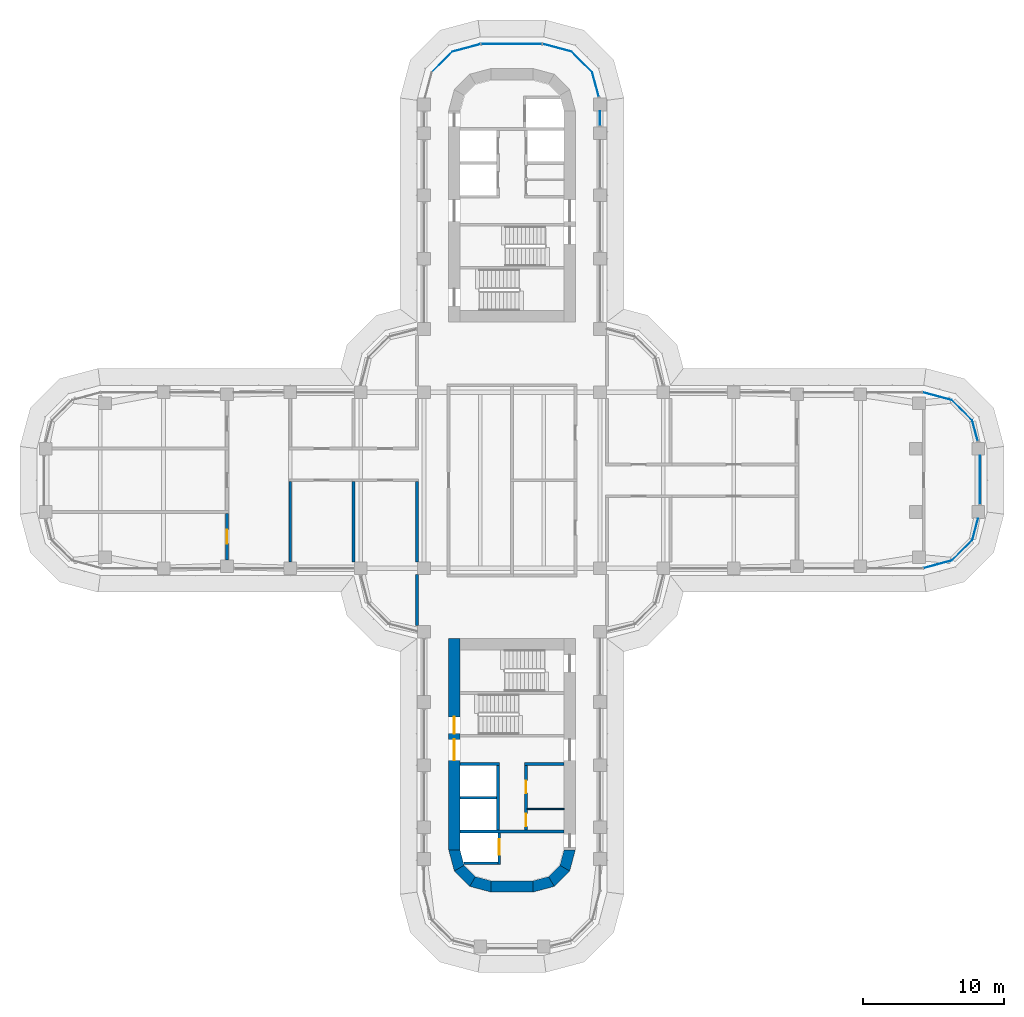
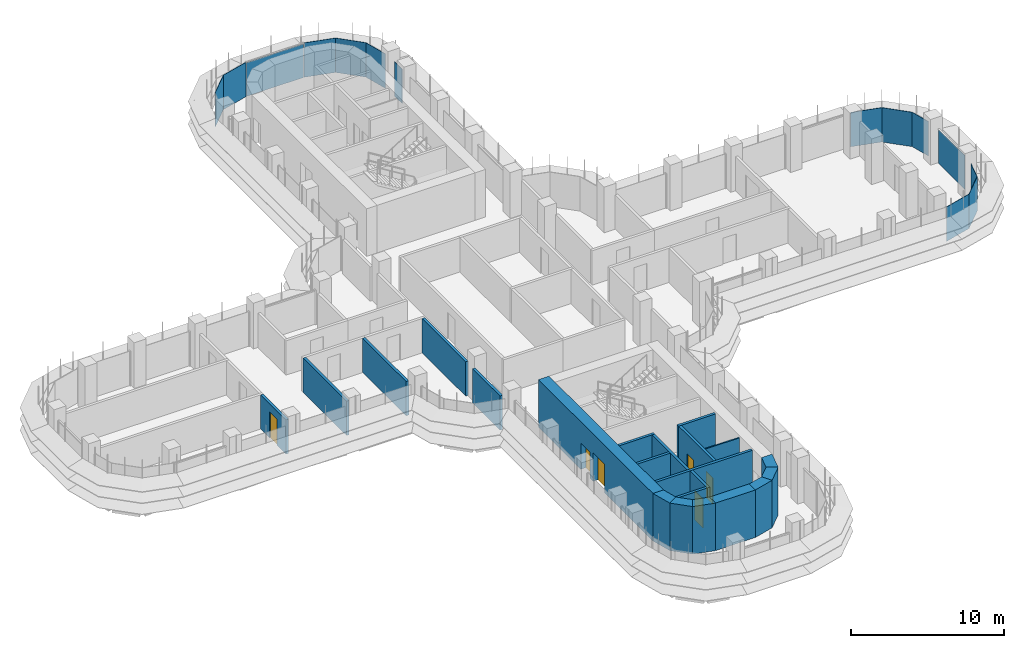
# One storey, part 15 of 22: 22 walls, 14 plates, 6 doors, 6 openings, 14 elements without a shape of their own.
"""IFC4 building model written with IfcOpenShell, lengths in metres."""

from ifc_helpers import new_model, si_unit, direction, frame, frame_2d, origin, place, context, subcontext, project, spatial, polyline, rectangle, outline, extrude, source, transform, mapped, material, layer, layer_set, type_object, element, fill, aggregate, save


model = new_model("IFC4")

# Units and contexts
model_context = context("Model", 3, precision=1e-05, world=origin(), true_north=direction((0.0, 1.0)))
body_context = subcontext(model_context, "Body", "Model", "MODEL_VIEW")
ifc_project = project(units=[si_unit("LENGTHUNIT", "METRE"), si_unit("AREAUNIT", "SQUARE_METRE"), si_unit("VOLUMEUNIT", "CUBIC_METRE"), si_unit("PLANEANGLEUNIT", "RADIAN"), si_unit("MASSUNIT", "GRAM", prefix="KILO")], contexts=[model_context])

# Site, building, storey
site_placement = place(None, origin())
site = spatial("IfcSite", under=ifc_project, at=site_placement, CompositionType="ELEMENT")
building_placement = place(site_placement, origin())
building = spatial("IfcBuilding", under=site, at=building_placement, Name="Zarbagh Exchange Tower", CompositionType="ELEMENT")
storey_placement = place(building_placement, frame((0.0, 0.0, 105.60009765625)))
storey = spatial("IfcBuildingStorey", under=building, at=storey_placement, Name="L24", CompositionType="ELEMENT", Elevation=105.60009765625)

# Curtain wall, plate
ifc_material_1 = material(Name="Anodised aluminium frame and glazing", Category="aluminium")
curtain_wall_type = type_object("IfcCurtainWallType", Name="CWA Ribbon glazing, lower zones", PredefinedType="NOTDEFINED", material=ifc_material_1)
curtain_wall_1_placement = place(storey_placement, origin())
curtain_wall_1 = element("IfcCurtainWall", 1, at=curtain_wall_1_placement, inside=storey, type_object=curtain_wall_type, Name="CWA13 curtain wall", PredefinedType="NOTDEFINED")
ifc_material_2 = material(Name="Low-e double glazed unit, 6+12+6 mm")
ifc_layer_1 = layer(ifc_material_2, 0.028076171875)
ifc_layer_set_1 = layer_set([ifc_layer_1], Name="PAA Glazing panel, Low-e double glazed unit, 6+12+6 mm")
plate_type = type_object("IfcPlateType", Name="PAA Glazing panel, Low-e double glazed unit, 6+12+6 mm", PredefinedType="CURTAIN_PANEL", material=ifc_layer_set_1)
shared_shape_1 = source(origin(), body_context, "Body", "SweptSolid", [
    extrude(outline(polyline([(0.0, -0.013916015625), (1.494140625, -0.013916015625), (1.494140625, 0.013916015625), (0.0, 0.013916015625), (0.0, -0.013916015625)])), origin(), (0.0, 0.0, 1.0), 2.75),
])
placement = place(storey_placement, origin())
plate_1 = element("IfcPlate", 2, at=placement, type_object=plate_type, Name="CWA13 glazing panel 1.1", PredefinedType="CURTAIN_PANEL", context=body_context, shape_type="MappedRepresentation", body=[
    mapped(shared_shape_1, transform((33.08544921875, 2.7978515625, 0.0), x_axis=(-0.258824779902, 0.965924289636, 0.0), y_axis=(-0.965924289636, -0.258824779902, 0.0), z_axis=(0.0, 0.0, 1.0))),
])
aggregate(curtain_wall_1, [plate_1])

curtain_wall_2_placement = place(storey_placement, origin())
curtain_wall_2 = element("IfcCurtainWall", 3, at=curtain_wall_2_placement, inside=storey, type_object=curtain_wall_type, Name="CWA10 curtain wall", PredefinedType="NOTDEFINED")
shared_shape_2 = source(origin(), body_context, "Body", "SweptSolid", [
    extrude(outline(polyline([(0.0, -0.013916015625), (2.061279296875, -0.013916015625), (2.061279296875, 0.013916015625), (0.0, 0.013916015625), (0.0, -0.013916015625)])), origin(), (0.0, 0.0, 1.0), 2.75),
])
plate_2 = element("IfcPlate", 4, at=placement, type_object=plate_type, Name="CWA10 glazing panel 1.1", PredefinedType="CURTAIN_PANEL", context=body_context, shape_type="MappedRepresentation", body=[
    mapped(shared_shape_2, transform((31.2412109375, -5.69873046875, 0.0), x_axis=(0.707106781187, 0.707106781187, 0.0), y_axis=(-0.707106781187, 0.707106781187, 0.0), z_axis=(0.0, 0.0, 1.0))),
])
aggregate(curtain_wall_2, [plate_2])

curtain_wall_3_placement = place(storey_placement, origin())
curtain_wall_3 = element("IfcCurtainWall", 5, at=curtain_wall_3_placement, inside=storey, type_object=curtain_wall_type, Name="CWA14 curtain wall", PredefinedType="NOTDEFINED")
plate_3 = element("IfcPlate", 6, at=placement, type_object=plate_type, Name="CWA14 glazing panel 1.1", PredefinedType="CURTAIN_PANEL", context=body_context, shape_type="MappedRepresentation", body=[
    mapped(shared_shape_2, transform((32.69873046875, 4.2412109375, 0.0), x_axis=(-0.707106781187, 0.707106781187, 0.0), y_axis=(-0.707106781187, -0.707106781187, 0.0), z_axis=(0.0, 0.0, 1.0))),
])
aggregate(curtain_wall_3, [plate_3])

curtain_wall_4_placement = place(storey_placement, origin())
curtain_wall_4 = element("IfcCurtainWall", 7, at=curtain_wall_4_placement, inside=storey, type_object=curtain_wall_type, Name="CWA51 curtain wall", PredefinedType="NOTDEFINED")
plate_4 = element("IfcPlate", 8, at=placement, type_object=plate_type, Name="CWA51 glazing panel 1.1", PredefinedType="CURTAIN_PANEL", context=body_context, shape_type="MappedRepresentation", body=[
    mapped(shared_shape_2, transform((5.69873046875, 28.9912109375, 0.0), x_axis=(-0.707106781187, 0.707106781187, 0.0), y_axis=(-0.707106781187, -0.707106781187, 0.0), z_axis=(0.0, 0.0, 1.0))),
])
aggregate(curtain_wall_4, [plate_4])

curtain_wall_5_placement = place(storey_placement, origin())
curtain_wall_5 = element("IfcCurtainWall", 9, at=curtain_wall_5_placement, inside=storey, type_object=curtain_wall_type, Name="CWA54 curtain wall", PredefinedType="NOTDEFINED")
plate_5 = element("IfcPlate", 10, at=placement, type_object=plate_type, Name="CWA54 glazing panel 1.1", PredefinedType="CURTAIN_PANEL", context=body_context, shape_type="MappedRepresentation", body=[
    mapped(shared_shape_2, transform((-4.2412109375, 30.44873046875, 0.0), x_axis=(-0.707106781187, -0.707106781187, 0.0), y_axis=(0.707106781187, -0.707106781187, 0.0), z_axis=(0.0, 0.0, 1.0))),
])
aggregate(curtain_wall_5, [plate_5])

curtain_wall_6_placement = place(storey_placement, origin())
curtain_wall_6 = element("IfcCurtainWall", 11, at=curtain_wall_6_placement, inside=storey, type_object=curtain_wall_type, Name="CWA15 curtain wall", PredefinedType="NOTDEFINED")
shared_shape_3 = source(origin(), body_context, "Body", "SweptSolid", [
    extrude(outline(polyline([(0.0, -0.013916015625), (2.129638671875, -0.013916015625), (2.129638671875, 0.013916015625), (0.0, 0.013916015625), (0.0, -0.013916015625)])), origin(), (0.0, 0.0, 1.0), 2.75),
])
plate_6 = element("IfcPlate", 12, at=placement, type_object=plate_type, Name="CWA15 glazing panel 1.1", PredefinedType="CURTAIN_PANEL", context=body_context, shape_type="MappedRepresentation", body=[
    mapped(shared_shape_3, transform((31.2412109375, 5.69873046875, 0.0), x_axis=(-0.965924289636, 0.258824779902, 0.0), y_axis=(-0.258824779902, -0.965924289636, 0.0), z_axis=(0.0, 0.0, 1.0))),
])
aggregate(curtain_wall_6, [plate_6])

curtain_wall_7_placement = place(storey_placement, origin())
curtain_wall_7 = element("IfcCurtainWall", 13, at=curtain_wall_7_placement, inside=storey, type_object=curtain_wall_type, Name="CWA52 curtain wall", PredefinedType="NOTDEFINED")
plate_7 = element("IfcPlate", 14, at=placement, type_object=plate_type, Name="CWA52 glazing panel 1.1", PredefinedType="CURTAIN_PANEL", context=body_context, shape_type="MappedRepresentation", body=[
    mapped(shared_shape_3, transform((4.2412109375, 30.44873046875, 0.0), x_axis=(-0.965924289636, 0.258824779902, 0.0), y_axis=(-0.258824779902, -0.965924289636, 0.0), z_axis=(0.0, 0.0, 1.0))),
])
aggregate(curtain_wall_7, [plate_7])

curtain_wall_8_placement = place(storey_placement, origin())
curtain_wall_8 = element("IfcCurtainWall", 15, at=curtain_wall_8_placement, inside=storey, type_object=curtain_wall_type, Name="CWA09 curtain wall", PredefinedType="NOTDEFINED")
shared_shape_4 = source(origin(), body_context, "Body", "SweptSolid", [
    extrude(outline(polyline([(0.0, -0.013916015625), (2.069580078125, -0.013916015625), (2.069580078125, 0.013916015625), (0.0, 0.013916015625), (0.0, -0.013916015625)])), origin(), (0.0, 0.0, 1.0), 2.75),
])
plate_8 = element("IfcPlate", 16, at=placement, type_object=plate_type, Name="CWA09 glazing panel 1.1", PredefinedType="CURTAIN_PANEL", context=body_context, shape_type="MappedRepresentation", body=[
    mapped(shared_shape_4, transform((29.2421875, -6.234375, 0.0), x_axis=(0.965924289636, 0.258824779902, 0.0), y_axis=(-0.258824779902, 0.965924289636, 0.0), z_axis=(0.0, 0.0, 1.0))),
])
aggregate(curtain_wall_8, [plate_8])

curtain_wall_9_placement = place(storey_placement, origin())
curtain_wall_9 = element("IfcCurtainWall", 17, at=curtain_wall_9_placement, inside=storey, type_object=curtain_wall_type, Name="CWA53 curtain wall", PredefinedType="NOTDEFINED")
plate_9 = element("IfcPlate", 18, at=placement, type_object=plate_type, Name="CWA53 glazing panel 1.1", PredefinedType="CURTAIN_PANEL", context=body_context, shape_type="MappedRepresentation", body=[
    mapped(shared_shape_4, transform((-2.2421875, 30.984375, 0.0), x_axis=(-0.965924289636, -0.258824779902, 0.0), y_axis=(0.258824779902, -0.965924289636, 0.0), z_axis=(0.0, 0.0, 1.0))),
])
aggregate(curtain_wall_9, [plate_9])

curtain_wall_10_placement = place(storey_placement, origin())
curtain_wall_10 = element("IfcCurtainWall", 19, at=curtain_wall_10_placement, inside=storey, type_object=curtain_wall_type, Name="CWA11 curtain wall", PredefinedType="NOTDEFINED")
shared_shape_5 = source(origin(), body_context, "Body", "SweptSolid", [
    extrude(outline(polyline([(0.0, -0.013916015625), (1.55419921875, -0.013916015625), (1.55419921875, 0.013916015625), (0.0, 0.013916015625), (0.0, -0.013916015625)])), origin(), (0.0, 0.0, 1.0), 2.75),
])
plate_10 = element("IfcPlate", 20, at=placement, type_object=plate_type, Name="CWA11 glazing panel 1.1", PredefinedType="CURTAIN_PANEL", context=body_context, shape_type="MappedRepresentation", body=[
    mapped(shared_shape_5, transform((32.69873046875, -4.2412109375, 0.0), x_axis=(0.258824779902, 0.965924289636, 0.0), y_axis=(-0.965924289636, 0.258824779902, 0.0), z_axis=(0.0, 0.0, 1.0))),
])
aggregate(curtain_wall_10, [plate_10])

curtain_wall_11_placement = place(storey_placement, origin())
curtain_wall_11 = element("IfcCurtainWall", 21, at=curtain_wall_11_placement, inside=storey, type_object=curtain_wall_type, Name="CWA12 curtain wall", PredefinedType="NOTDEFINED")
shared_shape_6 = source(origin(), body_context, "Body", "SweptSolid", [
    extrude(outline(polyline([(0.0, -0.013916015625), (3.4599609375, -0.013916015625), (3.4599609375, 0.013916015625), (0.0, 0.013916015625), (0.0, -0.013916015625)])), origin(), (0.0, 0.0, 1.0), 2.68994140625),
])
plate_11 = element("IfcPlate", 22, at=placement, type_object=plate_type, Name="CWA12 glazing panel 1.1", PredefinedType="CURTAIN_PANEL", context=body_context, shape_type="MappedRepresentation", body=[
    mapped(shared_shape_6, transform((33.25, -1.699951171875, 0.0), x_axis=(0.0, 1.0, 0.0), y_axis=(-1.0, 0.0, 0.0), z_axis=(0.0, 0.0, 1.0))),
])
aggregate(curtain_wall_11, [plate_11])

curtain_wall_12_placement = place(storey_placement, origin())
curtain_wall_12 = element("IfcCurtainWall", 23, at=curtain_wall_12_placement, inside=storey, type_object=curtain_wall_type, Name="CWA49 curtain wall", PredefinedType="NOTDEFINED")
shared_shape_7 = source(origin(), body_context, "Body", "SweptSolid", [
    extrude(outline(polyline([(0.0, -0.013916015625), (1.010009765625, -0.013916015625), (1.010009765625, 0.013916015625), (0.0, 0.013916015625), (0.0, -0.013916015625)])), origin(), (0.0, 0.0, 1.0), 2.75),
])
plate_12 = element("IfcPlate", 24, at=placement, type_object=plate_type, Name="CWA49 glazing panel 4.1", PredefinedType="CURTAIN_PANEL", context=body_context, shape_type="MappedRepresentation", body=[
    mapped(shared_shape_7, transform((6.25, 25.199951171875, 0.0), x_axis=(0.0, 1.0, 0.0), y_axis=(-1.0, 0.0, 0.0), z_axis=(0.0, 0.0, 1.0))),
])
aggregate(curtain_wall_12, [plate_12])

curtain_wall_13_placement = place(storey_placement, origin())
curtain_wall_13 = element("IfcCurtainWall", 25, at=curtain_wall_13_placement, inside=storey, type_object=curtain_wall_type, Name="CWA50 curtain wall", PredefinedType="NOTDEFINED")
shared_shape_8 = source(origin(), body_context, "Body", "SweptSolid", [
    extrude(outline(polyline([(0.0, -0.013916015625), (1.8046875, -0.013916015625), (1.8046875, 0.013916015625), (0.0, 0.013916015625), (0.0, -0.013916015625)])), origin(), (0.0, 0.0, 1.0), 2.75),
])
plate_13 = element("IfcPlate", 26, at=placement, type_object=plate_type, Name="CWA50 glazing panel 1.1", PredefinedType="CURTAIN_PANEL", context=body_context, shape_type="MappedRepresentation", body=[
    mapped(shared_shape_8, transform((6.166015625, 27.248046875, 0.0), x_axis=(-0.258824779902, 0.965924289636, 0.0), y_axis=(-0.965924289636, -0.258824779902, 0.0), z_axis=(0.0, 0.0, 1.0))),
])
aggregate(curtain_wall_13, [plate_13])

curtain_wall_14_placement = place(storey_placement, origin())
curtain_wall_14 = element("IfcCurtainWall", 27, at=curtain_wall_14_placement, inside=storey, type_object=curtain_wall_type, Name="CWA57 curtain wall", PredefinedType="NOTDEFINED")
shared_shape_9 = source(origin(), body_context, "Body", "SweptSolid", [
    extrude(outline(polyline([(0.0, -0.013916015625), (4.308349609375, -0.013916015625), (4.308349609375, 0.013916015625), (0.0, 0.013916015625), (0.0, -0.013916015625)])), origin(), (0.0, 0.0, 1.0), 2.68994140625),
])
plate_14 = element("IfcPlate", 28, at=placement, type_object=plate_type, Name="CWA57 glazing panel 1.1", PredefinedType="CURTAIN_PANEL", context=body_context, shape_type="MappedRepresentation", body=[
    mapped(shared_shape_9, transform((2.124267578125, 31.0, 0.0), x_axis=(-1.0, 0.0, 0.0), y_axis=(0.0, -1.0, 0.0), z_axis=(0.0, 0.0, 1.0))),
])
aggregate(curtain_wall_14, [plate_14])

# Walls
ifc_material_3 = material(Name="Dense blockwork", Category="masonry")
ifc_layer_2 = layer(ifc_material_3, 0.10009765625)
ifc_layer_set_2 = layer_set([ifc_layer_2], Name="Core partition 100 mm blockwork")
wall_type_1 = type_object("IfcWallType", Name="Core partition 100 mm blockwork", PredefinedType="PARTITIONING", material=ifc_layer_set_2)
wall_1_placement = place(storey_placement, frame((3.699951171875, -23.35009765625, 0.0), z_axis=(0.0, 0.0, 1.0), x_axis=(-1.0, 0.0, 0.0)))
element("IfcWall", 29, at=wall_1_placement, inside=storey, type_object=wall_type_1, Name="South core partition wall CUT-W-500", PredefinedType="PARTITIONING", context=body_context, shape_type="SweptSolid", body=[
    extrude(rectangle(XDim=2.599853515625, YDim=0.10009765625, at=frame_2d((1.2998046875, 0.0))), origin(), (0.0, 0.0, 1.0), 3.64990234375),
])
ifc_material_4 = material(Name="Fire-rated plasterboard partition")
ifc_layer_3 = layer(ifc_material_4, 0.199951171875)
ifc_layer_set_3 = layer_set([ifc_layer_3], Name="RATED PARTITION 200")
wall_type_2 = type_object("IfcWallType", Name="RATED PARTITION 200", PredefinedType="PARTITIONING", material=ifc_layer_set_3)
wall_2_placement = place(storey_placement, frame((-6.75, -10.300048828125, 0.0), z_axis=(0.0, 0.0, 1.0), x_axis=(0.0, 1.0, 0.0)))
element("IfcWall", 30, at=wall_2_placement, inside=storey, type_object=wall_type_2, Name="Partition W-804", PredefinedType="PARTITIONING", context=body_context, shape_type="SweptSolid", body=[
    extrude(rectangle(XDim=3.60009765625, YDim=0.199951171875, at=frame_2d((1.800048828125, 0.0))), origin(), (0.0, 0.0, 1.0), 2.738037109375),
])
for number, where, z_axis, x_axis, name in (
    (31, (-6.75, -5.800048828125, 0.0), (0.0, 0.0, 1.0), (0.0, 1.0, 0.0), "Partition W-805"),
    (32, (-11.25, -5.800048828125, 0.0), (0.0, 0.0, 1.0), (0.0, 1.0, 0.0), "Partition W-834"),
    (33, (-15.75, -5.800048828125, 0.0), (0.0, 0.0, 1.0), (0.0, 1.0, 0.0), "Partition W-836"),
):
    element("IfcWall", number, at=place(storey_placement, frame(where, z_axis=z_axis, x_axis=x_axis)), inside=storey, type_object=wall_type_2, Name=name, PredefinedType="PARTITIONING", context=body_context, shape_type="SweptSolid", body=[
        extrude(rectangle(XDim=5.699951171875, YDim=0.199951171875, at=frame_2d((2.85009765625, 0.0))), origin(), (0.0, 0.0, 1.0), 2.738037109375),
    ])

# Wall, opening, door
wall_3_placement = place(storey_placement, frame((-20.25, -5.659912109375, 0.0), z_axis=(0.0, 0.0, 1.0), x_axis=(0.0, 1.0, 0.0)))
wall_3 = element("IfcWall", 34, at=wall_3_placement, inside=storey, type_object=wall_type_2, Name="Partition W-837", PredefinedType="PARTITIONING", context=body_context, shape_type="SweptSolid", body=[
    extrude(rectangle(XDim=3.309814453125, YDim=0.199951171875, at=frame_2d((1.65478515625, 0.0))), origin(), (0.0, 0.0, 1.0), 2.738037109375),
])
opening_1_placement = place(wall_3_placement, frame((1.155029296875, 0.0, 0.0)))
opening_1 = element("IfcOpeningElement", 35, at=opening_1_placement, cuts=wall_3, Name="Opening D-814", PredefinedType="OPENING", context=body_context, shape_type="SweptSolid", body=[
    extrude(rectangle(XDim=1.0, YDim=2.10009765625, at=frame_2d((0.5, 1.050048828125))), frame((0.0, 0.10986328125, 0.0), z_axis=(0.0, -1.0, 0.0), x_axis=(1.0, 0.0, 0.0)), (0.0, 0.0, 1.0), 0.219970703125),
])
ifc_material_5 = material(Name="Steel door set", Category="steel")
door_type_1 = type_object("IfcDoorType", Name="FIRE DOOR 1000 X 2100 FD30S", OperationType="NOTDEFINED", PredefinedType="DOOR", material=ifc_material_5)
door_1_placement = place(opening_1_placement, origin())
door_1 = element("IfcDoor", 36, at=door_1_placement, inside=storey, type_object=door_type_1, Name="Door D-814", OperationType="SINGLE_SWING_RIGHT", OverallHeight=2.10009765625, OverallWidth=1.0, PredefinedType="DOOR", context=body_context, shape_type="SweptSolid", body=[
    extrude(rectangle(XDim=1.0, YDim=2.10009765625, at=frame_2d((0.5, 1.050048828125))), frame((0.0, 0.02490234375, 0.0), z_axis=(0.0, -1.0, 0.0), x_axis=(1.0, 0.0, 0.0)), (0.0, 0.0, 1.0), 0.050048828125),
])
fill(opening_1, door_1)

# Walls
ifc_material_6 = material(Name="Concrete C60/75", Category="concrete")
ifc_layer_4 = layer(ifc_material_6, 0.800048828125)
ifc_layer_set_4 = layer_set([ifc_layer_4], Name="RC core corner wall 800 C60/75")
wall_type_3 = type_object("IfcWallType", Name="RC core corner wall 800 C60/75", PredefinedType="SHEAR", material=ifc_layer_set_4)
wall_4_placement = place(storey_placement, origin())
element("IfcWall", 37, at=wall_4_placement, inside=storey, type_object=wall_type_3, Name="CW4 core S corner W", PredefinedType="SHEAR", context=body_context, shape_type="SweptSolid", body=[
    extrude(outline(polyline([(-4.5, -26.25), (-4.09814453125, -27.75), (-3.4052734375, -27.35009765625), (-3.699951171875, -26.25), (-4.5, -26.25)])), origin(), (0.0, 0.0, 1.0), 3.7998046875),
])
wall_5_placement = place(storey_placement, origin())
element("IfcWall", 38, at=wall_5_placement, inside=storey, type_object=wall_type_3, Name="CW4 core S corner W", PredefinedType="SHEAR", context=body_context, shape_type="SweptSolid", body=[
    extrude(outline(polyline([(-4.09814453125, -27.75), (-3.0, -28.84814453125), (-2.60009765625, -28.1552734375), (-3.4052734375, -27.35009765625), (-4.09814453125, -27.75)])), origin(), (0.0, 0.0, 1.0), 3.7998046875),
])
wall_6_placement = place(storey_placement, origin())
element("IfcWall", 39, at=wall_6_placement, inside=storey, type_object=wall_type_3, Name="CW4 core S corner W", PredefinedType="SHEAR", context=body_context, shape_type="SweptSolid", body=[
    extrude(outline(polyline([(-3.0, -28.84814453125), (-1.5, -29.25), (-1.5, -28.449951171875), (-2.60009765625, -28.1552734375), (-3.0, -28.84814453125)])), origin(), (0.0, 0.0, 1.0), 3.7998046875),
])
wall_7_placement = place(storey_placement, origin())
element("IfcWall", 40, at=wall_7_placement, inside=storey, type_object=wall_type_3, Name="CW4 core S corner E", PredefinedType="SHEAR", context=body_context, shape_type="SweptSolid", body=[
    extrude(outline(polyline([(4.5, -26.25), (4.09814453125, -27.75), (3.4052734375, -27.35009765625), (3.699951171875, -26.25), (4.5, -26.25)])), origin(), (0.0, 0.0, 1.0), 3.7998046875),
])
wall_8_placement = place(storey_placement, origin())
element("IfcWall", 41, at=wall_8_placement, inside=storey, type_object=wall_type_3, Name="CW4 core S corner E", PredefinedType="SHEAR", context=body_context, shape_type="SweptSolid", body=[
    extrude(outline(polyline([(4.09814453125, -27.75), (3.0, -28.84814453125), (2.60009765625, -28.1552734375), (3.4052734375, -27.35009765625), (4.09814453125, -27.75)])), origin(), (0.0, 0.0, 1.0), 3.7998046875),
])
wall_9_placement = place(storey_placement, origin())
element("IfcWall", 42, at=wall_9_placement, inside=storey, type_object=wall_type_3, Name="CW4 core S corner E", PredefinedType="SHEAR", context=body_context, shape_type="SweptSolid", body=[
    extrude(outline(polyline([(3.0, -28.84814453125), (1.5, -29.25), (1.5, -28.449951171875), (2.60009765625, -28.1552734375), (3.0, -28.84814453125)])), origin(), (0.0, 0.0, 1.0), 3.7998046875),
])

# Wall, openings, doors
ifc_layer_5 = layer(ifc_material_6, 0.800048828125)
ifc_layer_set_5 = layer_set([ifc_layer_5], Name="RC core wall 800 C60/75")
wall_type_4 = type_object("IfcWallType", Name="RC core wall 800 C60/75", PredefinedType="SHEAR", material=ifc_layer_set_5)
wall_10_placement = place(storey_placement, frame((-4.10009765625, -11.25, 0.0), z_axis=(0.0, 0.0, 1.0), x_axis=(0.0, -1.0, 0.0)))
wall_10 = element("IfcWall", 43, at=wall_10_placement, inside=storey, type_object=wall_type_4, Name="CW3 core S W", PredefinedType="SHEAR", context=body_context, shape_type="SweptSolid", body=[
    extrude(rectangle(XDim=15.0, YDim=0.800048828125, at=frame_2d((7.5, 0.0))), origin(), (0.0, 0.0, 1.0), 3.7998046875),
])
opening_2_placement = place(wall_10_placement, frame((7.14990234375, 0.0, 0.0)))
opening_2 = element("IfcOpeningElement", 44, at=opening_2_placement, cuts=wall_10, Name="Opening CD1-1500", PredefinedType="OPENING", context=body_context, shape_type="SweptSolid", body=[
    extrude(rectangle(XDim=1.5, YDim=2.300048828125, at=frame_2d((0.75, 1.14990234375))), frame((0.0, 0.409912109375, 0.0), z_axis=(0.0, -1.0, 0.0), x_axis=(1.0, 0.0, 0.0)), (0.0, 0.0, 1.0), 0.820068359375),
])
opening_3_placement = place(wall_10_placement, frame((5.550048828125, 0.0, 0.0)))
opening_3 = element("IfcOpeningElement", 45, at=opening_3_placement, cuts=wall_10, Name="Opening SD1-1200", PredefinedType="OPENING", context=body_context, shape_type="SweptSolid", body=[
    extrude(rectangle(XDim=1.199951171875, YDim=2.10009765625, at=frame_2d((0.60009765625, 1.050048828125))), frame((0.0, 0.409912109375, 0.0), z_axis=(0.0, -1.0, 0.0), x_axis=(1.0, 0.0, 0.0)), (0.0, 0.0, 1.0), 0.820068359375),
])
ifc_material_7 = material(Name="Steel", Category="steel")
door_type_2 = type_object("IfcDoorType", Name="Exit stair door 1200 x 2100", OperationType="NOTDEFINED", PredefinedType="DOOR", material=ifc_material_7)
door_2_placement = place(opening_3_placement, origin())
door_2 = element("IfcDoor", 46, at=door_2_placement, inside=storey, type_object=door_type_2, Name="South core stair door ST1", OperationType="SINGLE_SWING_RIGHT", OverallHeight=2.10009765625, OverallWidth=1.199951171875, PredefinedType="DOOR", context=body_context, shape_type="SweptSolid", body=[
    extrude(rectangle(XDim=1.199951171875, YDim=2.10009765625, at=frame_2d((0.60009765625, 1.050048828125))), frame((0.0, 0.02490234375, 0.0), z_axis=(0.0, -1.0, 0.0), x_axis=(1.0, 0.0, 0.0)), (0.0, 0.0, 1.0), 0.050048828125),
])
fill(opening_3, door_2)
door_type_3 = type_object("IfcDoorType", Name="Lift lobby double door 1500 x 2300", OperationType="NOTDEFINED", PredefinedType="DOOR", material=ifc_material_7)
door_3_placement = place(opening_2_placement, origin())
door_3 = element("IfcDoor", 47, at=door_3_placement, inside=storey, type_object=door_type_3, Name="South core lift lobby door LOBBY-E", OperationType="DOUBLE_DOOR_SINGLE_SWING", OverallHeight=2.300048828125, OverallWidth=1.5, PredefinedType="DOOR", context=body_context, shape_type="SweptSolid", body=[
    extrude(rectangle(XDim=1.5, YDim=2.300048828125, at=frame_2d((0.75, 1.14990234375))), frame((0.0, 0.02490234375, 0.0), z_axis=(0.0, -1.0, 0.0), x_axis=(1.0, 0.0, 0.0)), (0.0, 0.0, 1.0), 0.050048828125),
])
fill(opening_2, door_3)

# Walls
wall_11_placement = place(storey_placement, frame((-1.5, -28.85009765625, 0.0), z_axis=(0.0, 0.0, 1.0), x_axis=(1.0, 0.0, 0.0)))
element("IfcWall", 48, at=wall_11_placement, inside=storey, type_object=wall_type_4, Name="CW3 core S outer end", PredefinedType="SHEAR", context=body_context, shape_type="SweptSolid", body=[
    extrude(rectangle(XDim=3.0, YDim=0.800048828125, at=frame_2d((1.5, 0.0))), origin(), (0.0, 0.0, 1.0), 3.7998046875),
])
ifc_layer_6 = layer(ifc_material_3, 0.199951171875)
ifc_layer_set_6 = layer_set([ifc_layer_6], Name="Shaft wall 200 mm blockwork")
wall_type_5 = type_object("IfcWallType", Name="Shaft wall 200 mm blockwork", PredefinedType="PARTITIONING", material=ifc_layer_set_6)
wall_12_placement = place(storey_placement, frame((3.699951171875, -20.14990234375, 0.0), z_axis=(0.0, 0.0, 1.0), x_axis=(-1.0, 0.0, 0.0)))
element("IfcWall", 49, at=wall_12_placement, inside=storey, type_object=wall_type_5, Name="South core shaft wall AB-W", PredefinedType="PARTITIONING", context=body_context, shape_type="SweptSolid", body=[
    extrude(rectangle(XDim=2.800048828125, YDim=0.199951171875, at=frame_2d((1.39990234375, 0.0))), origin(), (0.0, 0.0, 1.0), 3.64990234375),
])

# Wall, openings, doors
wall_13_placement = place(storey_placement, frame((1.0, -24.85009765625, 0.0), z_axis=(0.0, 0.0, 1.0), x_axis=(0.0, 1.0, 0.0)))
wall_13 = element("IfcWall", 50, at=wall_13_placement, inside=storey, type_object=wall_type_5, Name="South core shaft wall LW-W", PredefinedType="PARTITIONING", context=body_context, shape_type="SweptSolid", body=[
    extrude(rectangle(XDim=4.60009765625, YDim=0.199951171875, at=frame_2d((2.300048828125, 0.0))), origin(), (0.0, 0.0, 1.0), 3.64990234375),
])
opening_4_placement = place(wall_13_placement, frame((0.27490234375, 0.0, 0.0)))
opening_4 = element("IfcOpeningElement", 51, at=opening_4_placement, cuts=wall_13, Name="Opening CD3-900", PredefinedType="OPENING", context=body_context, shape_type="SweptSolid", body=[
    extrude(rectangle(XDim=0.89990234375, YDim=2.10009765625, at=frame_2d((0.449951171875, 1.050048828125))), frame((0.0, 0.10986328125, 0.0), z_axis=(0.0, -1.0, 0.0), x_axis=(1.0, 0.0, 0.0)), (0.0, 0.0, 1.0), 0.219970703125),
])
opening_5_placement = place(wall_13_placement, frame((2.625, 0.0, 0.0)))
opening_5 = element("IfcOpeningElement", 52, at=opening_5_placement, cuts=wall_13, Name="Opening CD3-900", PredefinedType="OPENING", context=body_context, shape_type="SweptSolid", body=[
    extrude(rectangle(XDim=0.89990234375, YDim=2.10009765625, at=frame_2d((0.449951171875, 1.050048828125))), frame((0.0, 0.10986328125, 0.0), z_axis=(0.0, -1.0, 0.0), x_axis=(1.0, 0.0, 0.0)), (0.0, 0.0, 1.0), 0.219970703125),
])
door_type_4 = type_object("IfcDoorType", Name="Core room door 900 x 2100", OperationType="NOTDEFINED", PredefinedType="DOOR", material=ifc_material_7)
door_4_placement = place(opening_4_placement, origin())
door_4 = element("IfcDoor", 53, at=door_4_placement, inside=storey, type_object=door_type_4, Name="South core Cleaner's store door RD-W-0", OperationType="SINGLE_SWING_RIGHT", OverallHeight=2.10009765625, OverallWidth=0.89990234375, PredefinedType="DOOR", context=body_context, shape_type="SweptSolid", body=[
    extrude(rectangle(XDim=0.89990234375, YDim=2.10009765625, at=frame_2d((0.449951171875, 1.050048828125))), frame((0.0, 0.02490234375, 0.0), z_axis=(0.0, -1.0, 0.0), x_axis=(1.0, 0.0, 0.0)), (0.0, 0.0, 1.0), 0.050048828125),
])
fill(opening_4, door_4)
door_5_placement = place(opening_5_placement, origin())
door_5 = element("IfcDoor", 54, at=door_5_placement, inside=storey, type_object=door_type_4, Name="South core Accessible WC door RD-W-1", OperationType="SINGLE_SWING_LEFT", OverallHeight=2.10009765625, OverallWidth=0.89990234375, PredefinedType="DOOR", context=body_context, shape_type="SweptSolid", body=[
    extrude(rectangle(XDim=0.89990234375, YDim=2.10009765625, at=frame_2d((0.449951171875, 1.050048828125))), frame((0.0, 0.02490234375, 0.0), z_axis=(0.0, -1.0, 0.0), x_axis=(1.0, 0.0, 0.0)), (0.0, 0.0, 1.0), 0.050048828125),
])
fill(opening_5, door_5)

# Walls
wall_14_placement = place(storey_placement, frame((-0.89990234375, -20.14990234375, 0.0), z_axis=(0.0, 0.0, 1.0), x_axis=(-1.0, 0.0, 0.0)))
element("IfcWall", 55, at=wall_14_placement, inside=storey, type_object=wall_type_5, Name="South core shaft wall AB-E", PredefinedType="PARTITIONING", context=body_context, shape_type="SweptSolid", body=[
    extrude(rectangle(XDim=2.800048828125, YDim=0.199951171875, at=frame_2d((1.39990234375, 0.0))), origin(), (0.0, 0.0, 1.0), 3.64990234375),
])
wall_15_placement = place(storey_placement, frame((-1.0, -24.85009765625, 0.0), z_axis=(0.0, 0.0, 1.0), x_axis=(0.0, 1.0, 0.0)))
element("IfcWall", 56, at=wall_15_placement, inside=storey, type_object=wall_type_5, Name="South core shaft wall LW-E", PredefinedType="PARTITIONING", context=body_context, shape_type="SweptSolid", body=[
    extrude(rectangle(XDim=4.60009765625, YDim=0.199951171875, at=frame_2d((2.300048828125, 0.0))), origin(), (0.0, 0.0, 1.0), 3.64990234375),
])
wall_16_placement = place(storey_placement, frame((-1.10009765625, -22.550048828125, 0.0), z_axis=(0.0, 0.0, 1.0), x_axis=(-1.0, 0.0, 0.0)))
element("IfcWall", 57, at=wall_16_placement, inside=storey, type_object=wall_type_5, Name="South core shaft wall TR-E", PredefinedType="PARTITIONING", context=body_context, shape_type="SweptSolid", body=[
    extrude(rectangle(XDim=2.599853515625, YDim=0.199951171875, at=frame_2d((1.2998046875, 0.0))), origin(), (0.0, 0.0, 1.0), 3.64990234375),
])
ifc_material_8 = material(Name="Concrete C40/50", Category="concrete")
ifc_layer_7 = layer(ifc_material_8, 0.199951171875)
ifc_layer_set_7 = layer_set([ifc_layer_7], Name="Stair enclosure wall 200 mm RC C40/50")
wall_type_6 = type_object("IfcWallType", Name="Stair enclosure wall 200 mm RC C40/50", PredefinedType="SHEAR", material=ifc_layer_set_7)
wall_17_placement = place(storey_placement, frame((3.699951171875, -24.949951171875, 0.0), z_axis=(0.0, 0.0, 1.0), x_axis=(-1.0, 0.0, 0.0)))
element("IfcWall", 58, at=wall_17_placement, inside=storey, type_object=wall_type_6, Name="South core lift shaft wall FFA", PredefinedType="SHEAR", context=body_context, shape_type="SweptSolid", body=[
    extrude(rectangle(XDim=7.39990234375, YDim=0.199951171875, at=frame_2d((3.699951171875, 0.0))), origin(), (0.0, 0.0, 1.0), 3.64990234375),
])

# Wall, opening, door
wall_18_placement = place(storey_placement, frame((-0.89990234375, -27.300048828125, 0.0), z_axis=(0.0, 0.0, 1.0), x_axis=(0.0, 1.0, 0.0)))
wall_18 = element("IfcWall", 59, at=wall_18_placement, inside=storey, type_object=wall_type_6, Name="South core lift shaft wall FFL", PredefinedType="SHEAR", context=body_context, shape_type="SweptSolid", body=[
    extrude(rectangle(XDim=2.25, YDim=0.199951171875, at=frame_2d((1.125, 0.0))), origin(), (0.0, 0.0, 1.0), 3.64990234375),
])
opening_6_placement = place(wall_18_placement, frame((0.699951171875, 0.0, 0.0)))
opening_6 = element("IfcOpeningElement", 60, at=opening_6_placement, cuts=wall_18, Name="Opening LD-1100", PredefinedType="OPENING", context=body_context, shape_type="SweptSolid", body=[
    extrude(rectangle(XDim=1.10009765625, YDim=2.300048828125, at=frame_2d((0.550048828125, 1.14990234375))), frame((0.0, 0.10986328125, 0.0), z_axis=(0.0, -1.0, 0.0), x_axis=(1.0, 0.0, 0.0)), (0.0, 0.0, 1.0), 0.219970703125),
])
ifc_material_9 = material(Name="Stainless steel", Category="steel")
door_type_5 = type_object("IfcDoorType", Name="Lift landing door 1100 x 2300", OperationType="NOTDEFINED", PredefinedType="DOOR", material=ifc_material_9)
door_6_placement = place(opening_6_placement, origin())
door_6 = element("IfcDoor", 61, at=door_6_placement, inside=storey, type_object=door_type_5, Name="South core lift landing door LD-F", OperationType="DOUBLE_DOOR_SLIDING", OverallHeight=2.300048828125, OverallWidth=1.10009765625, PredefinedType="DOOR", context=body_context, shape_type="SweptSolid", body=[
    extrude(rectangle(XDim=1.10009765625, YDim=2.300048828125, at=frame_2d((0.550048828125, 1.14990234375))), frame((0.0, 0.02490234375, 0.0), z_axis=(0.0, -1.0, 0.0), x_axis=(1.0, 0.0, 0.0)), (0.0, 0.0, 1.0), 0.050048828125),
])
fill(opening_6, door_6)

# Wall
wall_19_placement = place(storey_placement, origin())
element("IfcWall", 62, at=wall_19_placement, inside=storey, type_object=wall_type_6, Name="South core lift shaft wall FFX", PredefinedType="SHEAR", context=body_context, shape_type="SweptSolid", body=[
    extrude(outline(polyline([(-1.0, -27.10009765625), (-3.444091796875, -27.10009765625), (-3.390380859375, -27.300048828125), (-1.0, -27.300048828125), (-1.0, -27.10009765625)])), origin(), (0.0, 0.0, 1.0), 3.64990234375),
])

save(model, "model.ifc")
